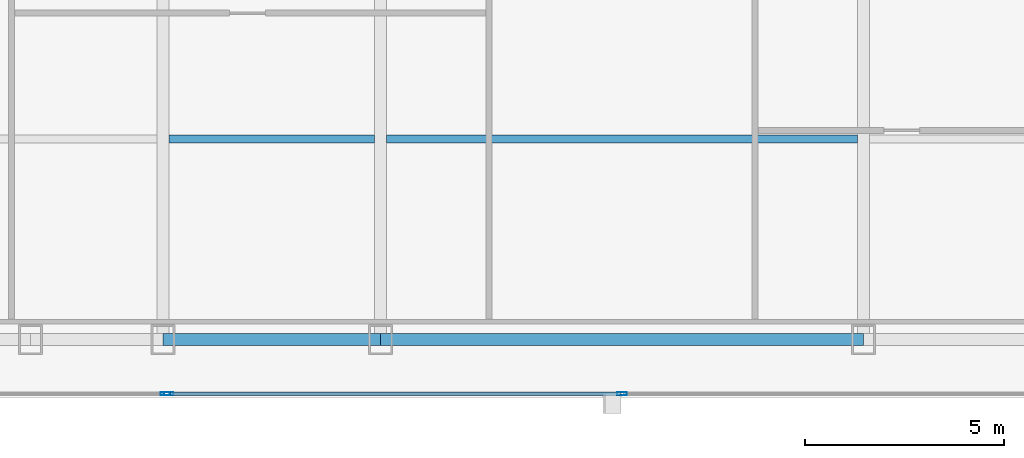
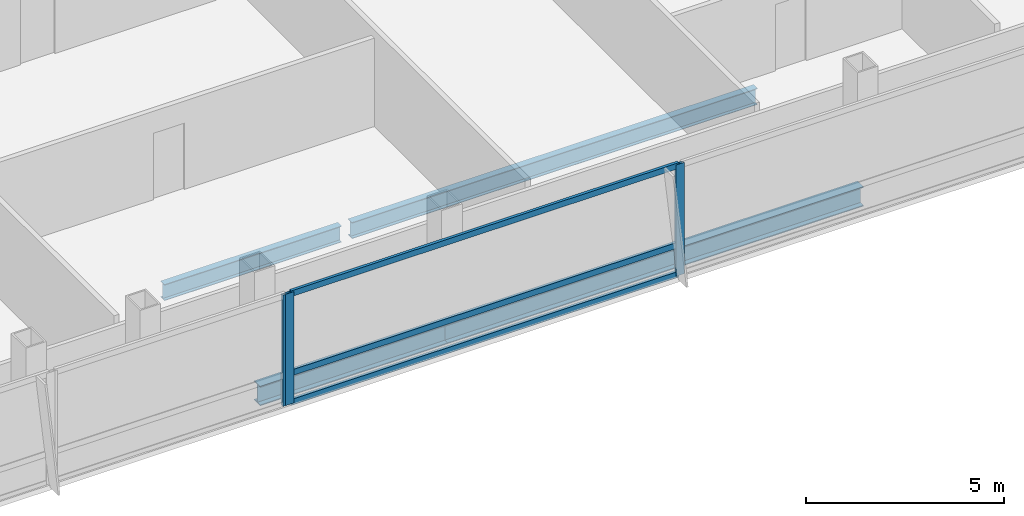
# One storey, part 8 of 32: 6 members, 4 beams, 2 elements without a shape of their own.
"""IFC4 building model written with IfcOpenShell, lengths in metres."""

from ifc_helpers import new_model, si_unit, direction, frame, origin, origin_2d, place, context, subcontext, project, spatial, hollow_rectangle, i_section, extrude, material, material_profile, profile_set, type_object, element, aggregate, save


model = new_model("IFC4")

# Units and contexts
model_context = context("Model", 3, precision=1e-05, world=origin(), true_north=direction((0.0, 1.0)))
body_context = subcontext(model_context, "Body", "Model", "MODEL_VIEW")
ifc_project = project(units=[si_unit("LENGTHUNIT", "METRE"), si_unit("AREAUNIT", "SQUARE_METRE"), si_unit("VOLUMEUNIT", "CUBIC_METRE"), si_unit("PLANEANGLEUNIT", "RADIAN"), si_unit("MASSUNIT", "GRAM", prefix="KILO")], contexts=[model_context])

# Site, building, storey
site_placement = place(None, origin())
site = spatial("IfcSite", under=ifc_project, at=site_placement, CompositionType="ELEMENT")
building_placement = place(site_placement, origin())
building = spatial("IfcBuilding", under=site, at=building_placement, Name="Khoronbel Lancet Exchange", CompositionType="ELEMENT")
storey_placement = place(building_placement, frame((0.0, 0.0, 192.199951171875)))
storey = spatial("IfcBuildingStorey", under=building, at=storey_placement, Name="L48", CompositionType="ELEMENT", Elevation=192.199951171875)

# Beams
ifc_material_1 = material(Name="Steel S355", Category="steel")
ifc_material_profile_1 = material_profile(ifc_material_1, i_section(OverallWidth=0.199951171875, OverallDepth=0.5, WebThickness=0.01025390625, FlangeThickness=0.01611328125, at=origin_2d()), Name="IPE 500")
ifc_profile_set_1 = profile_set([ifc_material_profile_1], Name="Steel S355")
beam_type_1 = type_object("IfcBeamType", Name="BM-BJ3", PredefinedType="JOIST", material=ifc_profile_set_1)
beam_1_placement = place(storey_placement, frame((25.050048828125, 15.199951171875, -0.409912109375), z_axis=(1.0, 0.0, 0.0), x_axis=(0.0, 1.0, 0.0)))
element("IfcBeam", 1, at=beam_1_placement, inside=storey, type_object=beam_type_1, Name="Level L48 secondary composite joist J02", PredefinedType="JOIST", context=body_context, shape_type="SweptSolid", body=[
    extrude(i_section(OverallWidth=0.199951171875, OverallDepth=0.5, WebThickness=0.01025390625, FlangeThickness=0.01611328125, at=origin_2d()), origin(), (0.0, 0.0, 1.0), 5.175048828125),
])
beam_2_placement = place(storey_placement, frame((30.52490234375, 15.199951171875, -0.409912109375), z_axis=(1.0, 0.0, 0.0), x_axis=(0.0, 1.0, 0.0)))
element("IfcBeam", 2, at=beam_2_placement, inside=storey, type_object=beam_type_1, Name="Level L48 secondary composite joist J03", PredefinedType="JOIST", context=body_context, shape_type="SweptSolid", body=[
    extrude(i_section(OverallWidth=0.199951171875, OverallDepth=0.5, WebThickness=0.01025390625, FlangeThickness=0.01611328125, at=origin_2d()), origin(), (0.0, 0.0, 1.0), 11.85009765625),
])
ifc_material_profile_2 = material_profile(ifc_material_1, i_section(OverallWidth=0.300048828125, OverallDepth=0.60009765625, WebThickness=0.015380859375, FlangeThickness=0.030029296875, at=origin_2d()), Name="HEB 600")
ifc_profile_set_2 = profile_set([ifc_material_profile_2], Name="Steel S355")
beam_type_2 = type_object("IfcBeamType", Name="BM-BSP2", PredefinedType="SPANDREL", material=ifc_profile_set_2)
beam_3_placement = place(storey_placement, frame((24.89990234375, 10.14990234375, -0.4599609375), z_axis=(1.0, 0.0, 0.0), x_axis=(0.0, 1.0, 0.0)))
element("IfcBeam", 3, at=beam_3_placement, inside=storey, type_object=beam_type_2, Name="Level L48 perimeter spandrel beam SP04", PredefinedType="SPANDREL", context=body_context, shape_type="SweptSolid", body=[
    extrude(i_section(OverallWidth=0.300048828125, OverallDepth=0.60009765625, WebThickness=0.015380859375, FlangeThickness=0.030029296875, at=origin_2d()), origin(), (0.0, 0.0, 1.0), 5.47509765625),
])
beam_4_placement = place(storey_placement, frame((30.375, 10.14990234375, -0.4599609375), z_axis=(1.0, 0.0, 0.0), x_axis=(0.0, 1.0, 0.0)))
element("IfcBeam", 4, at=beam_4_placement, inside=storey, type_object=beam_type_2, Name="Level L48 perimeter spandrel beam SP05", PredefinedType="SPANDREL", context=body_context, shape_type="SweptSolid", body=[
    extrude(i_section(OverallWidth=0.300048828125, OverallDepth=0.60009765625, WebThickness=0.015380859375, FlangeThickness=0.030029296875, at=origin_2d()), origin(), (0.0, 0.0, 1.0), 12.14990234375),
])

# Curtain wall, member
ifc_material_2 = material(Name="Low-E Solar Control Insulating Glass", Category="glass")
curtain_wall_type = type_object("IfcCurtainWallType", Name="CW-3", PredefinedType="NOTDEFINED", material=ifc_material_2)
curtain_wall_1_placement = place(storey_placement, origin())
curtain_wall_1 = element("IfcCurtainWall", 5, at=curtain_wall_1_placement, inside=storey, type_object=curtain_wall_type, Name="Unitised curtain wall CW-L48-SWB", PredefinedType="NOTDEFINED")
ifc_material_3 = material(Name="Bronze-Anodised Aluminium 6063-T6", Category="aluminium")
ifc_material_profile_3 = material_profile(ifc_material_3, hollow_rectangle(XDim=0.0849609375, YDim=0.239990234375, WallThickness=0.006103515625, at=origin_2d()), Name="ALU MULLION 85x240")
ifc_profile_set_3 = profile_set([ifc_material_profile_3], Name="Bronze-Anodised Aluminium 6063-T6")
member_type_1 = type_object("IfcMemberType", Name="MEM-CWM1", PredefinedType="MULLION", material=ifc_profile_set_3)
member_1_placement = place(storey_placement, frame((24.95751953125, 8.7900390625, 0.0), z_axis=(0.0, 0.0, 1.0), x_axis=(0.0, 1.0, 0.0)))
member_1 = element("IfcMember", 6, at=member_1_placement, type_object=member_type_1, Name="CW3 mullion 2", PredefinedType="MULLION", context=body_context, shape_type="SweptSolid", body=[
    extrude(hollow_rectangle(XDim=0.0849609375, YDim=0.239990234375, WallThickness=0.006103515625, at=origin_2d()), origin(), (0.0, 0.0, 1.0), 3.43994140625),
])
aggregate(curtain_wall_1, [member_1])

# Curtain wall, members
curtain_wall_2_placement = place(storey_placement, origin())
curtain_wall_2 = element("IfcCurtainWall", 7, at=curtain_wall_2_placement, inside=storey, type_object=curtain_wall_type, Name="Unitised curtain wall CW-L48-SCV", PredefinedType="NOTDEFINED")
member_2_placement = place(storey_placement, frame((25.04248046875, 8.7900390625, 0.0), z_axis=(0.0, 0.0, 1.0), x_axis=(0.0, 1.0, 0.0)))
member_2 = element("IfcMember", 8, at=member_2_placement, type_object=member_type_1, Name="CW3 mullion 1", PredefinedType="MULLION", context=body_context, shape_type="SweptSolid", body=[
    extrude(hollow_rectangle(XDim=0.0849609375, YDim=0.239990234375, WallThickness=0.006103515625, at=origin_2d()), origin(), (0.0, 0.0, 1.0), 3.43994140625),
])
member_3_placement = place(storey_placement, frame((36.449951171875, 8.7900390625, 0.0), z_axis=(0.0, 0.0, 1.0), x_axis=(0.0, 1.0, 0.0)))
member_3 = element("IfcMember", 9, at=member_3_placement, type_object=member_type_1, Name="CW3 mullion 2", PredefinedType="MULLION", context=body_context, shape_type="SweptSolid", body=[
    extrude(hollow_rectangle(XDim=0.0849609375, YDim=0.239990234375, WallThickness=0.006103515625, at=origin_2d()), origin(), (0.0, 0.0, 1.0), 3.43994140625),
])
ifc_material_profile_4 = material_profile(ifc_material_3, hollow_rectangle(XDim=0.0849609375, YDim=0.179931640625, WallThickness=0.0048828125, at=origin_2d()), Name="ALU TRANSOM 85x180")
ifc_profile_set_4 = profile_set([ifc_material_profile_4], Name="Bronze-Anodised Aluminium 6063-T6")
member_type_2 = type_object("IfcMemberType", Name="MEM-CWT1", PredefinedType="USERDEFINED", material=ifc_profile_set_4)
member_4_placement = place(storey_placement, frame((25.0849609375, 8.7900390625, 0.04248046875), z_axis=(1.0, 0.0, 0.0), x_axis=(0.0, 1.0, 0.0)))
member_4 = element("IfcMember", 10, at=member_4_placement, type_object=member_type_2, Name="CW3 transom 1.1", ObjectType="TRANSOM", PredefinedType="USERDEFINED", context=body_context, shape_type="SweptSolid", body=[
    extrude(hollow_rectangle(XDim=0.0849609375, YDim=0.179931640625, WallThickness=0.0048828125, at=origin_2d()), origin(), (0.0, 0.0, 1.0), 11.322509765625),
])
member_5_placement = place(storey_placement, frame((25.0849609375, 8.7900390625, 0.949951171875), z_axis=(1.0, 0.0, 0.0), x_axis=(0.0, 1.0, 0.0)))
member_5 = element("IfcMember", 11, at=member_5_placement, type_object=member_type_2, Name="CW3 transom 1.2", ObjectType="TRANSOM", PredefinedType="USERDEFINED", context=body_context, shape_type="SweptSolid", body=[
    extrude(hollow_rectangle(XDim=0.0849609375, YDim=0.179931640625, WallThickness=0.0048828125, at=origin_2d()), origin(), (0.0, 0.0, 1.0), 11.322509765625),
])
member_6_placement = place(storey_placement, frame((25.0849609375, 8.7900390625, 3.3974609375), z_axis=(1.0, 0.0, 0.0), x_axis=(0.0, 1.0, 0.0)))
member_6 = element("IfcMember", 12, at=member_6_placement, type_object=member_type_2, Name="CW3 transom 1.3", ObjectType="TRANSOM", PredefinedType="USERDEFINED", context=body_context, shape_type="SweptSolid", body=[
    extrude(hollow_rectangle(XDim=0.0849609375, YDim=0.179931640625, WallThickness=0.0048828125, at=origin_2d()), origin(), (0.0, 0.0, 1.0), 11.322509765625),
])
aggregate(curtain_wall_2, [member_2, member_3, member_4, member_5, member_6])

save(model, "model.ifc")
